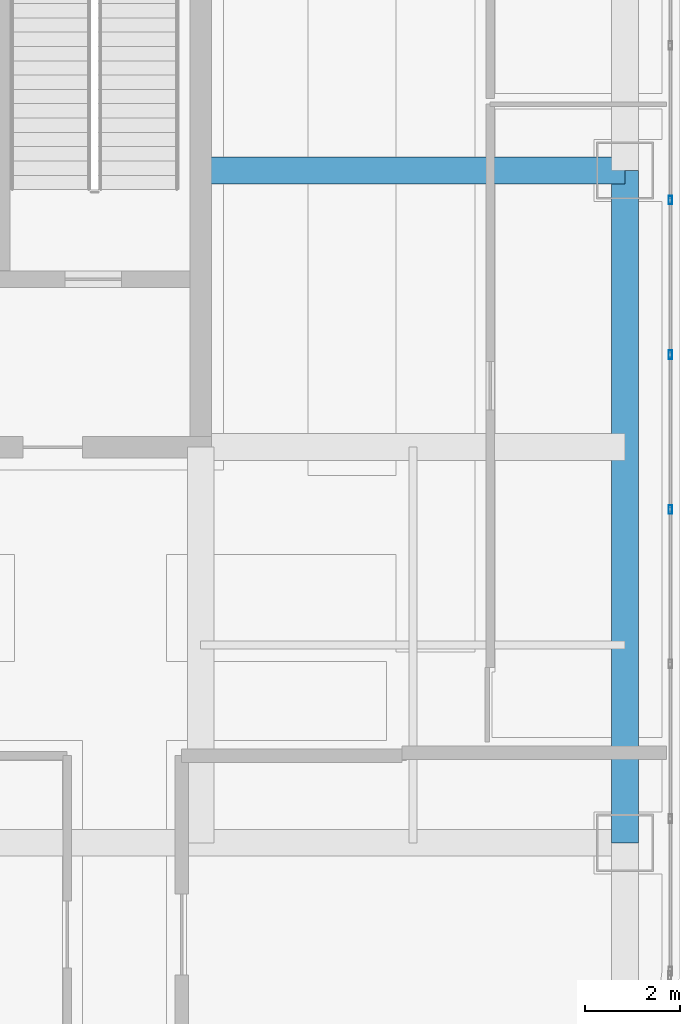
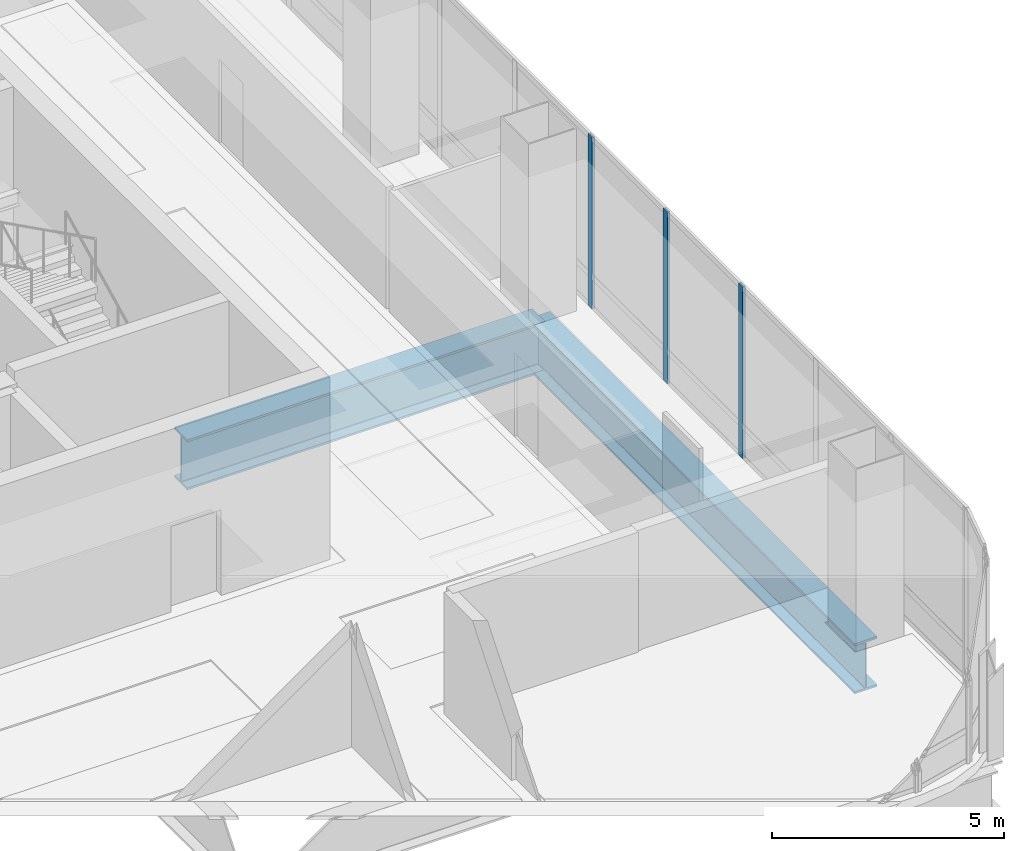
# One storey, part 20 of 45: 3 members, 2 beams, 1 element without a shape of its own.
"""IFC4 building model written with IfcOpenShell, lengths in metres."""

import ifcopenshell
import ifcopenshell.guid

model = None  # the IFC model being written
_history = None  # IfcOwnerHistory: only IFC2X3 demands one
_inside = {}  # id of a spatial element -> (the spatial element, [elements in it])
_under = {}  # id of a project, library or spatial element -> (it, [spatial elements below it])
_declared = {}  # id of a project -> (the project, [libraries it declares])
_typed = {}  # id of a type object -> (the type object, [elements of that type])
_made_of = {}  # id of a material, layer set ... -> (it, [elements and type objects made of it])


def new_model(schema):
    """Start an empty IFC model of exactly this schema.

    Asked for "IFC4X3", IfcOpenShell would pick the latest addendum, in which some entities
    have other attributes; the version numbers below select the first issue.
    IFC2X3 requires an IfcOwnerHistory on every rooted entity: one is made here for all.
    """
    global model, _history
    if schema == "IFC4X3":
        model = ifcopenshell.file(schema_version=(4, 3, 0, 0))
    else:
        model = ifcopenshell.file(schema=schema)
    _inside.clear()
    _under.clear()
    _declared.clear()
    _typed.clear()
    _made_of.clear()
    _history = None
    if model.schema == "IFC2X3":
        org = make("IfcOrganization", Name="unknown")
        user = make(
            "IfcPersonAndOrganization",
            ThePerson=make("IfcPerson", FamilyName="unknown"),
            TheOrganization=org,
        )
        app = make(
            "IfcApplication",
            ApplicationDeveloper=org,
            Version="unknown",
            ApplicationFullName="unknown",
            ApplicationIdentifier="unknown",
        )
        _history = make(
            "IfcOwnerHistory",
            OwningUser=user,
            OwningApplication=app,
            ChangeAction="ADDED",
            CreationDate=0,
        )
    return model


def make(cls, **values):
    """One entity of the class cls with the attributes given. An attribute that is None is left unset."""
    return model.create_entity(
        cls, **{name: value for name, value in values.items() if value is not None}
    )


def rooted(cls, **values):
    """An entity with a GlobalId (a new one), such as an element, a storey or a relation."""
    return make(cls, GlobalId=ifcopenshell.guid.new(), OwnerHistory=_history, **values)


def si_unit(unit_type, name, prefix=None):
    """IfcSIUnit, for example si_unit("LENGTHUNIT", "METRE", prefix="MILLI")."""
    return make("IfcSIUnit", UnitType=unit_type, Prefix=prefix, Name=name)


def assignment(units):
    """IfcUnitAssignment: the units of a project."""
    return None if units is None else make("IfcUnitAssignment", Units=units)


def point(xyz):
    """IfcCartesianPoint."""
    return None if xyz is None else make("IfcCartesianPoint", Coordinates=xyz)


def direction(xyz):
    """IfcDirection."""
    return None if xyz is None else make("IfcDirection", DirectionRatios=xyz)


def frame(location, z_axis=None, x_axis=None):
    """IfcAxis2Placement3D, a coordinate frame: its origin and axes. An axis left out is left unset."""
    return make(
        "IfcAxis2Placement3D",
        Location=point(location),
        Axis=direction(z_axis),
        RefDirection=direction(x_axis),
    )


def frame_2d(location, x_axis=None):
    """IfcAxis2Placement2D, a coordinate frame in the plane: its origin and x axis."""
    return make(
        "IfcAxis2Placement2D", Location=point(location), RefDirection=direction(x_axis)
    )


def origin():
    """The frame at (0, 0, 0) with its axes left unset."""
    return frame((0.0, 0.0, 0.0))


def origin_2d():
    """The frame at (0, 0) in the plane with its x axis left unset."""
    return frame_2d((0.0, 0.0))


def place(relative_to, where):
    """IfcLocalPlacement: puts the frame where relative to a parent placement (None: the world)."""
    return make(
        "IfcLocalPlacement", PlacementRelTo=relative_to, RelativePlacement=where
    )


def context(
    kind, dimensions, precision=None, world=None, true_north=None, identifier=None
):
    """IfcGeometricRepresentationContext, for example the 3D "Model" context."""
    return make(
        "IfcGeometricRepresentationContext",
        ContextIdentifier=identifier,
        ContextType=kind,
        CoordinateSpaceDimension=dimensions,
        Precision=precision,
        WorldCoordinateSystem=world,
        TrueNorth=true_north,
    )


def subcontext(parent, identifier, kind, view, scale=None):
    """IfcGeometricRepresentationSubContext, for example "Body" below "Model"."""
    return make(
        "IfcGeometricRepresentationSubContext",
        ContextIdentifier=identifier,
        ContextType=kind,
        ParentContext=parent,
        TargetScale=scale,
        TargetView=view,
    )


def project(units=None, contexts=None):
    """IfcProject with its units and contexts."""
    return rooted(
        "IfcProject",
        Name="project",
        RepresentationContexts=contexts,
        UnitsInContext=assignment(units),
    )


def spatial(cls, under=None, at=None, **own):
    """A site, building, storey or space (cls), placed at a placement, below another one or the project."""
    s = rooted(cls, ObjectPlacement=at, **own)
    if under is not None:
        _under.setdefault(under.id(), (under, []))[1].append(s)
    return s


def profile(cls, at=None, kind="AREA", **sizes):
    """A parametric profile (cls). Its sizes go by their IFC names, for example OverallWidth=200.0."""
    return make(cls, ProfileType=kind, Position=at, **sizes)


def hollow_rectangle(**sizes):
    """IfcRectangleHollowProfileDef."""
    return profile("IfcRectangleHollowProfileDef", **sizes)


def i_section(**sizes):
    """IfcIShapeProfileDef."""
    return profile("IfcIShapeProfileDef", **sizes)


def extrude(swept, where, along, depth):
    """IfcExtrudedAreaSolid: the profile swept, set in the frame where, extruded along a direction by depth."""
    return make(
        "IfcExtrudedAreaSolid",
        SweptArea=swept,
        Position=where,
        ExtrudedDirection=direction(along),
        Depth=depth,
    )


def shape(context_of_items, identifier, shape_type, items):
    """IfcShapeRepresentation: the items that make up one representation, for example the "Body"."""
    return make(
        "IfcShapeRepresentation",
        ContextOfItems=context_of_items,
        RepresentationIdentifier=identifier,
        RepresentationType=shape_type,
        Items=items,
    )


def material(Name=None, Category=None):
    """IfcMaterial."""
    return make("IfcMaterial", Name=Name, Category=Category)


def material_profile(
    of_material, cross_section, Name=None, Category=None, Priority=None
):
    """IfcMaterialProfile: a cross section and its material."""
    return make(
        "IfcMaterialProfile",
        Name=Name,
        Material=of_material,
        Profile=cross_section,
        Priority=Priority,
        Category=Category,
    )


def profile_set(profiles, Name=None, composite=None):
    """IfcMaterialProfileSet."""
    return make(
        "IfcMaterialProfileSet",
        Name=Name,
        MaterialProfiles=profiles,
        CompositeProfile=composite,
    )


def made_of(thing, what):
    """Note that an element or type object is made of a material, layer set ...; save() writes the relation."""
    if what is not None:
        _made_of.setdefault(what.id(), (what, []))[1].append(thing)
    return thing


def type_object(cls, material=None, **own):
    """A type object (cls), such as IfcWallType, which elements share."""
    return made_of(rooted(cls, **own), material)


def element(
    cls,
    number,
    at=None,
    inside=None,
    cuts=None,
    type_object=None,
    material=None,
    context=None,
    identifier="Body",
    shape_type=None,
    held_by="IfcProductDefinitionShape",
    body=None,
    shapes=None,
    **own,
):
    """One element of the class cls, such as IfcWall. Its Tag is "e" and its number.

    at: its placement. inside: the storey or other place that contains it. cuts: it is an
    opening in that element (IfcRelVoidsElement). A single representation is given by context,
    identifier, shape_type and body (its items); several are given by shapes. held_by: the class
    of the entity that holds the representations. save() writes the other relations.
    """
    e = rooted(cls, Tag="e%d" % number, ObjectPlacement=at, **own)
    if body is not None:
        shapes = [shape(context, identifier, shape_type, body)]
    if shapes is not None:
        e.Representation = make(held_by, Representations=shapes)
    if inside is not None:
        _inside.setdefault(inside.id(), (inside, []))[1].append(e)
    if cuts is not None:
        rooted(
            "IfcRelVoidsElement", RelatingBuildingElement=cuts, RelatedOpeningElement=e
        )
    if type_object is not None:
        _typed.setdefault(type_object.id(), (type_object, []))[1].append(e)
    return made_of(e, material)


def aggregate(whole, parts):
    """IfcRelAggregates: a whole, such as a stair, and the parts it consists of."""
    return rooted("IfcRelAggregates", RelatingObject=whole, RelatedObjects=parts)


def save(model, path):
    """Write the relations noted so far, then the file.

    IfcRelAggregates (storeys below a building ...), IfcRelContainedInSpatialStructure (elements
    in a storey), IfcRelDefinesByType, IfcRelAssociatesMaterial and IfcRelDeclares: one each for
    every whole, place, type object, material and project.
    """
    for whole, parts in _under.values():
        aggregate(whole, parts)
    for where, things in _inside.values():
        rooted(
            "IfcRelContainedInSpatialStructure",
            RelatedElements=things,
            RelatingStructure=where,
        )
    for kind, things in _typed.values():
        rooted("IfcRelDefinesByType", RelatedObjects=things, RelatingType=kind)
    for what, things in _made_of.values():
        rooted("IfcRelAssociatesMaterial", RelatedObjects=things, RelatingMaterial=what)
    for by, libraries in _declared.values():
        rooted("IfcRelDeclares", RelatingContext=by, RelatedDefinitions=libraries)
    model.write(path)


model = new_model("IFC4")

# Units and contexts
model_context = context("Model", 3, precision=1e-05, world=origin(), true_north=direction((0.0, 1.0)))
body_context = subcontext(model_context, "Body", "Model", "MODEL_VIEW")
ifc_project = project(units=[si_unit("LENGTHUNIT", "METRE"), si_unit("AREAUNIT", "SQUARE_METRE"), si_unit("VOLUMEUNIT", "CUBIC_METRE"), si_unit("PLANEANGLEUNIT", "RADIAN"), si_unit("MASSUNIT", "GRAM", prefix="KILO")], contexts=[model_context])

# Site, building, storey
site_placement = place(None, origin())
site = spatial("IfcSite", under=ifc_project, at=site_placement, CompositionType="ELEMENT")
building_placement = place(site_placement, origin())
building = spatial("IfcBuilding", under=site, at=building_placement, Name="Punatoya Terracotta Tower", CompositionType="ELEMENT")
storey_placement = place(building_placement, frame((0.0, 0.0, 339.0)))
storey = spatial("IfcBuildingStorey", under=building, at=storey_placement, Name="L80", CompositionType="ELEMENT", Elevation=339.0)

# Beams
ifc_material_1 = material(Name="Steel S460", Category="steel")
ifc_material_profile_1 = material_profile(ifc_material_1, i_section(OverallWidth=0.56005859375, OverallDepth=1.320068359375, WebThickness=0.035888671875, FlangeThickness=0.054931640625, FilletRadius=0.01806640625, at=origin_2d()))
ifc_profile_set_1 = profile_set([ifc_material_profile_1], Name="Steel S460")
beam_type = type_object("IfcBeamType", Name="BM-TG-BLK", PredefinedType="BEAM", material=ifc_profile_set_1)
beam_1_placement = place(storey_placement, frame((19.10009765625, -17.5, -0.919921875), z_axis=(0.0, 1.0, 0.0), x_axis=(-1.0, 0.0, 0.0)))
element("IfcBeam", 1, at=beam_1_placement, inside=storey, type_object=beam_type, Name="BM-L80-RG-E1", PredefinedType="BEAM", context=body_context, shape_type="SweptSolid", body=[
    extrude(i_section(OverallWidth=0.56005859375, OverallDepth=1.320068359375, WebThickness=0.035888671875, FlangeThickness=0.054931640625, FilletRadius=0.01806640625, at=origin_2d()), origin(), (0.0, 0.0, 1.0), 14.10009765625),
])
beam_2_placement = place(storey_placement, frame((10.199951171875, -3.39990234375, -0.919921875), z_axis=(1.0, 0.0, 0.0), x_axis=(0.0, 1.0, 0.0)))
element("IfcBeam", 2, at=beam_2_placement, inside=storey, type_object=beam_type, Name="BM-L80-PR-ED", PredefinedType="BEAM", context=body_context, shape_type="SweptSolid", body=[
    extrude(i_section(OverallWidth=0.56005859375, OverallDepth=1.320068359375, WebThickness=0.035888671875, FlangeThickness=0.054931640625, FilletRadius=0.01806640625, at=origin_2d()), origin(), (0.0, 0.0, 1.0), 8.900146484375),
])

# Curtain wall, members
ifc_material_2 = material(Name="Aluminium 6063-T6 + Double Low-E Glass", Category="aluminium")
curtain_wall_type = type_object("IfcCurtainWallType", Name="CW-OBS", PredefinedType="NOTDEFINED", material=ifc_material_2)
curtain_wall_placement = place(storey_placement, origin())
curtain_wall = element("IfcCurtainWall", 3, at=curtain_wall_placement, inside=storey, type_object=curtain_wall_type, Name="L80 Curtain Wall CW-L80-E05-1", PredefinedType="NOTDEFINED")
ifc_material_3 = material(Name="Aluminium 6063-T6", Category="aluminium")
ifc_material_profile_2 = material_profile(ifc_material_3, hollow_rectangle(XDim=0.070068359375, YDim=0.179931640625, WallThickness=0.00390625, at=origin_2d()))
ifc_profile_set_2 = profile_set([ifc_material_profile_2], Name="Aluminium 6063-T6")
member_type = type_object("IfcMemberType", Name="CW-MUL-M3", PredefinedType="MULLION", material=ifc_profile_set_2)
member_1_placement = place(storey_placement, frame((20.050048828125, -10.5078125, 0.0), z_axis=(0.0, 0.0, 1.0), x_axis=(1.0, 0.0, 0.0)))
member_1 = element("IfcMember", 4, at=member_1_placement, type_object=member_type, Name="CW-L80-E05-1 Mullion 03", PredefinedType="MULLION", context=body_context, shape_type="SweptSolid", body=[
    extrude(hollow_rectangle(XDim=0.070068359375, YDim=0.179931640625, WallThickness=0.00390625, at=origin_2d()), origin(), (0.0, 0.0, 1.0), 4.52001953125),
])
member_2_placement = place(storey_placement, frame((20.050048828125, -7.2646484375, 0.0), z_axis=(0.0, 0.0, 1.0), x_axis=(1.0, 0.0, 0.0)))
member_2 = element("IfcMember", 5, at=member_2_placement, type_object=member_type, Name="CW-L80-E05-1 Mullion 04", PredefinedType="MULLION", context=body_context, shape_type="SweptSolid", body=[
    extrude(hollow_rectangle(XDim=0.070068359375, YDim=0.179931640625, WallThickness=0.00390625, at=origin_2d()), origin(), (0.0, 0.0, 1.0), 4.52001953125),
])
member_3_placement = place(storey_placement, frame((20.050048828125, -4.021484375, 0.0), z_axis=(0.0, 0.0, 1.0), x_axis=(1.0, 0.0, 0.0)))
member_3 = element("IfcMember", 6, at=member_3_placement, type_object=member_type, Name="CW-L80-E05-1 Mullion 05", PredefinedType="MULLION", context=body_context, shape_type="SweptSolid", body=[
    extrude(hollow_rectangle(XDim=0.070068359375, YDim=0.179931640625, WallThickness=0.00390625, at=origin_2d()), origin(), (0.0, 0.0, 1.0), 4.52001953125),
])
aggregate(curtain_wall, [member_1, member_2, member_3])

save(model, "model.ifc")
